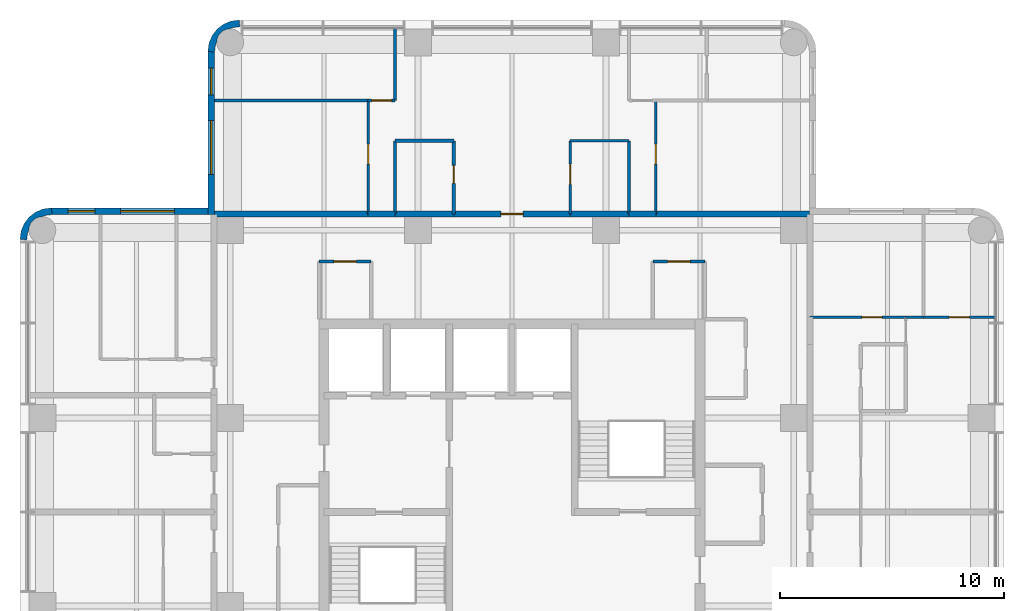
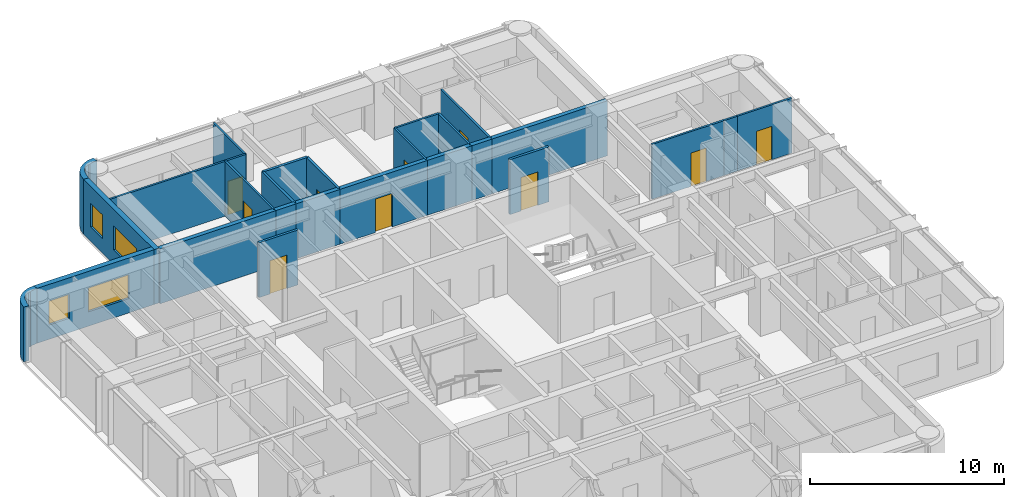
# One storey, part 8 of 10: 27 walls, 10 doors, 4 windows, 14 openings.
"""IFC4 building model written with IfcOpenShell, lengths in metres."""

from ifc_helpers import new_model, si_unit, direction, frame, frame_2d, origin, place, context, subcontext, project, spatial, polyline, rectangle, outline, extrude, material, layer, layer_set, type_object, element, fill, save


model = new_model("IFC4")

# Units and contexts
model_context = context("Model", 3, precision=1e-05, world=origin(), true_north=direction((0.0, 1.0)))
body_context = subcontext(model_context, "Body", "Model", "MODEL_VIEW")
ifc_project = project(units=[si_unit("LENGTHUNIT", "METRE"), si_unit("AREAUNIT", "SQUARE_METRE"), si_unit("VOLUMEUNIT", "CUBIC_METRE"), si_unit("PLANEANGLEUNIT", "RADIAN"), si_unit("MASSUNIT", "GRAM", prefix="KILO")], contexts=[model_context])

# Site, building, storey
site_placement = place(None, origin())
site = spatial("IfcSite", under=ifc_project, at=site_placement, CompositionType="ELEMENT")
building_placement = place(site_placement, origin())
building = spatial("IfcBuilding", under=site, at=building_placement, Name="Torre Alcanfor", CompositionType="ELEMENT")
storey_placement = place(building_placement, frame((0.0, 0.0, 293.699951171875)))
storey = spatial("IfcBuildingStorey", under=building, at=storey_placement, Name="L77", CompositionType="ELEMENT", Elevation=293.699951171875)

# Wall, opening, door
ifc_material_1 = material(Name="Concrete block masonry, hollow blocks NMX-C-404 9 MPa", Category="masonry")
ifc_layer_1 = layer(ifc_material_1, 0.25)
ifc_layer_set_1 = layer_set([ifc_layer_1], Name="Apartment entrance wall 250 EI 60")
wall_type_1 = type_object("IfcWallType", Name="Apartment entrance wall 250 EI 60", PredefinedType="PARTITIONING", material=ifc_layer_set_1)
wall_1_placement = place(storey_placement, frame((26.800048828125, 42.72509765625, 0.0), z_axis=(0.0, 0.0, 1.0), x_axis=(1.0, 0.0, 0.0)))
wall_1 = element("IfcWall", 1, at=wall_1_placement, inside=storey, type_object=wall_type_1, Name="Partition L77-CORR / L77-NX-ZAG", PredefinedType="PARTITIONING", context=body_context, shape_type="SweptSolid", body=[
    extrude(rectangle(XDim=5.199951171875, YDim=0.25, at=frame_2d((2.60009765625, 0.0))), origin(), (0.0, 0.0, 1.0), 3.449951171875),
])
opening_1_placement = place(wall_1_placement, frame((2.10009765625, 0.0, 0.0)))
opening_1 = element("IfcOpeningElement", 2, at=opening_1_placement, cuts=wall_1, Name="Opening D-A1", PredefinedType="OPENING", context=body_context, shape_type="SweptSolid", body=[
    extrude(rectangle(XDim=1.0, YDim=2.10009765625, at=frame_2d((0.5, 1.050048828125))), frame((0.0, 0.135009765625, 0.0), z_axis=(0.0, -1.0, 0.0), x_axis=(1.0, 0.0, 0.0)), (0.0, 0.0, 1.0), 0.27001953125),
])
ifc_material_2 = material(Name="Galvanised steel sheet ASTM A653", Category="steel")
door_type_1 = type_object("IfcDoorType", Name="Apartment entrance door FD60 1000x2100", OperationType="SINGLE_SWING_LEFT", PredefinedType="DOOR", material=ifc_material_2)
door_1_placement = place(opening_1_placement, origin())
door_1 = element("IfcDoor", 3, at=door_1_placement, inside=storey, type_object=door_type_1, Name="Apartment entrance L77-NX", OperationType="SINGLE_SWING_LEFT", OverallHeight=2.10009765625, OverallWidth=1.0, PredefinedType="DOOR", context=body_context, shape_type="SweptSolid", body=[
    extrude(rectangle(XDim=1.0, YDim=2.10009765625, at=frame_2d((0.5, 1.050048828125))), frame((0.0, 0.02490234375, 0.0), z_axis=(0.0, -1.0, 0.0), x_axis=(1.0, 0.0, 0.0)), (0.0, 0.0, 1.0), 0.050048828125),
])
fill(opening_1, door_1)

# Walls
wall_2_placement = place(storey_placement, frame((24.1708984375, 42.72509765625, 0.0), z_axis=(0.0, 0.0, 1.0), x_axis=(1.0, 0.0, 0.0)))
element("IfcWall", 4, at=wall_2_placement, inside=storey, type_object=wall_type_1, Name="Partition L77-CORR / L77-NX-BATH2", PredefinedType="PARTITIONING", context=body_context, shape_type="SweptSolid", body=[
    extrude(rectangle(XDim=2.629150390625, YDim=0.25, at=frame_2d((1.314453125, 0.0))), origin(), (0.0, 0.0, 1.0), 3.449951171875),
])
wall_3_placement = place(storey_placement, frame((32.0, 42.72509765625, 0.0), z_axis=(0.0, 0.0, 1.0), x_axis=(1.0, 0.0, 0.0)))
element("IfcWall", 5, at=wall_3_placement, inside=storey, type_object=wall_type_1, Name="Partition L77-CORR / L77-NX-KITCHEN", PredefinedType="PARTITIONING", context=body_context, shape_type="SweptSolid", body=[
    extrude(rectangle(XDim=2.62890625, YDim=0.25, at=frame_2d((1.314453125, 0.0))), origin(), (0.0, 0.0, 1.0), 3.449951171875),
])
wall_4_placement = place(storey_placement, frame((22.970947265625, 42.72509765625, 0.0), z_axis=(0.0, 0.0, 1.0), x_axis=(1.0, 0.0, 0.0)))
element("IfcWall", 6, at=wall_4_placement, inside=storey, type_object=wall_type_1, Name="Partition L77-CORR / L77-NX-LIVING", PredefinedType="PARTITIONING", context=body_context, shape_type="SweptSolid", body=[
    extrude(rectangle(XDim=1.199951171875, YDim=0.25, at=frame_2d((0.60009765625, 0.0))), origin(), (0.0, 0.0, 1.0), 3.449951171875),
])
wall_5_placement = place(storey_placement, frame((34.62890625, 42.72509765625, 0.0), z_axis=(0.0, 0.0, 1.0), x_axis=(1.0, 0.0, 0.0)))
element("IfcWall", 7, at=wall_5_placement, inside=storey, type_object=wall_type_1, Name="Partition L77-CORR / L77-NX-LIVING", PredefinedType="PARTITIONING", context=body_context, shape_type="SweptSolid", body=[
    extrude(rectangle(XDim=1.2001953125, YDim=0.25, at=frame_2d((0.60009765625, 0.0))), origin(), (0.0, 0.0, 1.0), 3.449951171875),
])
for number, where, z_axis, x_axis, name in (
    (8, (16.10009765625, 42.72509765625, 0.0), (0.0, 0.0, 1.0), (1.0, 0.0, 0.0), "Partition L77-CORR / L77-NX-BED2"),
    (9, (35.8291015625, 42.72509765625, 0.0), (0.0, 0.0, 1.0), (1.0, 0.0, 0.0), "Partition L77-CORR / L77-NX-BED3"),
):
    element("IfcWall", number, at=place(storey_placement, frame(where, z_axis=z_axis, x_axis=x_axis)), inside=storey, type_object=wall_type_1, Name=name, PredefinedType="PARTITIONING", context=body_context, shape_type="SweptSolid", body=[
        extrude(rectangle(XDim=6.870849609375, YDim=0.25, at=frame_2d((3.435546875, 0.0))), origin(), (0.0, 0.0, 1.0), 3.449951171875),
    ])

# Wall, opening, door
ifc_material_3 = material(Name="Gypsum board on steel studs", Category="steel")
ifc_layer_2 = layer(ifc_material_3, 0.1201171875)
ifc_layer_set_2 = layer_set([ifc_layer_2], Name="Apartment partition 120")
wall_type_2 = type_object("IfcWallType", Name="Apartment partition 120", PredefinedType="PARTITIONING", material=ifc_layer_set_2)
wall_6_placement = place(storey_placement, frame((32.0, 42.72509765625, 0.0), z_axis=(0.0, 0.0, 1.0), x_axis=(0.0, 1.0, 0.0)))
wall_6 = element("IfcWall", 10, at=wall_6_placement, inside=storey, type_object=wall_type_2, Name="Partition L77-NX-ZAG / L77-NX-KITCHEN", PredefinedType="PARTITIONING", context=body_context, shape_type="SweptSolid", body=[
    extrude(rectangle(XDim=3.27490234375, YDim=0.1201171875, at=frame_2d((1.637451171875, 0.0))), origin(), (0.0, 0.0, 1.0), 3.449951171875),
])
opening_2_placement = place(wall_6_placement, frame((1.324951171875, 0.0, 0.0)))
opening_2 = element("IfcOpeningElement", 11, at=opening_2_placement, cuts=wall_6, Name="Opening D-R1", PredefinedType="OPENING", context=body_context, shape_type="SweptSolid", body=[
    extrude(rectangle(XDim=0.89990234375, YDim=2.10009765625, at=frame_2d((0.449951171875, 1.050048828125))), frame((0.0, 0.070068359375, 0.0), z_axis=(0.0, -1.0, 0.0), x_axis=(1.0, 0.0, 0.0)), (0.0, 0.0, 1.0), 0.14013671875),
])
ifc_material_4 = material(Name="Timber", Category="wood")
door_type_2 = type_object("IfcDoorType", Name="Internal door 900x2100", OperationType="SINGLE_SWING_LEFT", PredefinedType="DOOR", material=ifc_material_4)
door_2_placement = place(opening_2_placement, frame((0.89990234375, 0.0, 0.0), z_axis=(0.0, 0.0, 1.0), x_axis=(-1.0, 0.0, 0.0)))
door_2 = element("IfcDoor", 12, at=door_2_placement, inside=storey, type_object=door_type_2, Name="Door L77-NX kitchen", OperationType="SINGLE_SWING_LEFT", OverallHeight=2.10009765625, OverallWidth=0.89990234375, PredefinedType="DOOR", context=body_context, shape_type="SweptSolid", body=[
    extrude(rectangle(XDim=0.89990234375, YDim=2.10009765625, at=frame_2d((0.449951171875, 1.050048828125))), frame((0.0, 0.025146484375, 0.0), z_axis=(0.0, -1.0, 0.0), x_axis=(1.0, 0.0, 0.0)), (0.0, 0.0, 1.0), 0.050048828125),
])
fill(opening_2, door_2)

# Walls
wall_7_placement = place(storey_placement, frame((34.62890625, 42.72509765625, 0.0), z_axis=(0.0, 0.0, 1.0), x_axis=(0.0, 1.0, 0.0)))
element("IfcWall", 13, at=wall_7_placement, inside=storey, type_object=wall_type_2, Name="Partition L77-NX-KITCHEN / L77-NX-LIVING", PredefinedType="PARTITIONING", context=body_context, shape_type="SweptSolid", body=[
    extrude(rectangle(XDim=3.27490234375, YDim=0.1201171875, at=frame_2d((1.637451171875, 0.0))), origin(), (0.0, 0.0, 1.0), 3.449951171875),
])
wall_8_placement = place(storey_placement, frame((34.62890625, 46.0, 0.0), z_axis=(0.0, 0.0, 1.0), x_axis=(-1.0, 0.0, 0.0)))
element("IfcWall", 14, at=wall_8_placement, inside=storey, type_object=wall_type_2, Name="Partition L77-NX-KITCHEN / L77-NX-LIVING", PredefinedType="PARTITIONING", context=body_context, shape_type="SweptSolid", body=[
    extrude(rectangle(XDim=2.62890625, YDim=0.1201171875, at=frame_2d((1.314453125, 0.0))), origin(), (0.0, 0.0, 1.0), 3.449951171875),
])

# Wall, opening, door
wall_9_placement = place(storey_placement, frame((22.970947265625, 42.72509765625, 0.0), z_axis=(0.0, 0.0, 1.0), x_axis=(0.0, 1.0, 0.0)))
wall_9 = element("IfcWall", 15, at=wall_9_placement, inside=storey, type_object=wall_type_2, Name="Partition L77-NX-LIVING / L77-NX-BED2", PredefinedType="PARTITIONING", context=body_context, shape_type="SweptSolid", body=[
    extrude(rectangle(XDim=5.074951171875, YDim=0.1201171875, at=frame_2d((2.53759765625, 0.0))), origin(), (0.0, 0.0, 1.0), 3.449951171875),
])
opening_3_placement = place(wall_9_placement, frame((2.22509765625, 0.0, 0.0)))
opening_3 = element("IfcOpeningElement", 16, at=opening_3_placement, cuts=wall_9, Name="Opening D-R1", PredefinedType="OPENING", context=body_context, shape_type="SweptSolid", body=[
    extrude(rectangle(XDim=0.89990234375, YDim=2.10009765625, at=frame_2d((0.449951171875, 1.050048828125))), frame((0.0, 0.070068359375, 0.0), z_axis=(0.0, -1.0, 0.0), x_axis=(1.0, 0.0, 0.0)), (0.0, 0.0, 1.0), 0.14013671875),
])
door_3_placement = place(opening_3_placement, origin())
door_3 = element("IfcDoor", 17, at=door_3_placement, inside=storey, type_object=door_type_2, Name="Door L77-NX bed2", OperationType="SINGLE_SWING_RIGHT", OverallHeight=2.10009765625, OverallWidth=0.89990234375, PredefinedType="DOOR", context=body_context, shape_type="SweptSolid", body=[
    extrude(rectangle(XDim=0.89990234375, YDim=2.10009765625, at=frame_2d((0.449951171875, 1.050048828125))), frame((0.0, 0.02490234375, 0.0), z_axis=(0.0, -1.0, 0.0), x_axis=(1.0, 0.0, 0.0)), (0.0, 0.0, 1.0), 0.050048828125),
])
fill(opening_3, door_3)

wall_10_placement = place(storey_placement, frame((22.970947265625, 47.800048828125, 0.0), z_axis=(0.0, 0.0, 1.0), x_axis=(1.0, 0.0, 0.0)))
wall_10 = element("IfcWall", 18, at=wall_10_placement, inside=storey, type_object=wall_type_2, Name="Partition L77-NX-LIVING / L77-NX-MASTER", PredefinedType="PARTITIONING", context=body_context, shape_type="SweptSolid", body=[
    extrude(rectangle(XDim=1.199951171875, YDim=0.1201171875, at=frame_2d((0.60009765625, 0.0))), origin(), (0.0, 0.0, 1.0), 3.449951171875),
])
opening_4_placement = place(wall_10_placement, frame((0.14892578125, 0.0, 0.0)))
opening_4 = element("IfcOpeningElement", 19, at=opening_4_placement, cuts=wall_10, Name="Opening D-R1", PredefinedType="OPENING", context=body_context, shape_type="SweptSolid", body=[
    extrude(rectangle(XDim=0.89990234375, YDim=2.10009765625, at=frame_2d((0.449951171875, 1.050048828125))), frame((0.0, 0.070068359375, 0.0), z_axis=(0.0, -1.0, 0.0), x_axis=(1.0, 0.0, 0.0)), (0.0, 0.0, 1.0), 0.14013671875),
])
door_4_placement = place(opening_4_placement, origin())
door_4 = element("IfcDoor", 20, at=door_4_placement, inside=storey, type_object=door_type_2, Name="Door L77-NX master", OperationType="SINGLE_SWING_RIGHT", OverallHeight=2.10009765625, OverallWidth=0.89990234375, PredefinedType="DOOR", context=body_context, shape_type="SweptSolid", body=[
    extrude(rectangle(XDim=0.89990234375, YDim=2.10009765625, at=frame_2d((0.449951171875, 1.050048828125))), frame((0.0, 0.02490234375, 0.0), z_axis=(0.0, -1.0, 0.0), x_axis=(1.0, 0.0, 0.0)), (0.0, 0.0, 1.0), 0.050048828125),
])
fill(opening_4, door_4)

# Wall
wall_11_placement = place(storey_placement, frame((24.1708984375, 47.800048828125, 0.0), z_axis=(0.0, 0.0, 1.0), x_axis=(0.0, 1.0, 0.0)))
element("IfcWall", 21, at=wall_11_placement, inside=storey, type_object=wall_type_2, Name="Partition L77-NX-LIVING / L77-NX-MASTER", PredefinedType="PARTITIONING", context=body_context, shape_type="SweptSolid", body=[
    extrude(rectangle(XDim=3.25, YDim=0.1201171875, at=frame_2d((1.625, 0.0))), origin(), (0.0, 0.0, 1.0), 3.449951171875),
])

# Wall, opening, door
wall_12_placement = place(storey_placement, frame((35.8291015625, 47.800048828125, 0.0), z_axis=(0.0, 0.0, 1.0), x_axis=(0.0, -1.0, 0.0)))
wall_12 = element("IfcWall", 22, at=wall_12_placement, inside=storey, type_object=wall_type_2, Name="Partition L77-NX-LIVING / L77-NX-BED3", PredefinedType="PARTITIONING", context=body_context, shape_type="SweptSolid", body=[
    extrude(rectangle(XDim=5.074951171875, YDim=0.1201171875, at=frame_2d((2.53759765625, 0.0))), origin(), (0.0, 0.0, 1.0), 3.449951171875),
])
opening_5_placement = place(wall_12_placement, frame((1.949951171875, 0.0, 0.0)))
opening_5 = element("IfcOpeningElement", 23, at=opening_5_placement, cuts=wall_12, Name="Opening D-R1", PredefinedType="OPENING", context=body_context, shape_type="SweptSolid", body=[
    extrude(rectangle(XDim=0.89990234375, YDim=2.10009765625, at=frame_2d((0.449951171875, 1.050048828125))), frame((0.0, 0.070068359375, 0.0), z_axis=(0.0, -1.0, 0.0), x_axis=(1.0, 0.0, 0.0)), (0.0, 0.0, 1.0), 0.14013671875),
])
door_5_placement = place(opening_5_placement, origin())
door_5 = element("IfcDoor", 24, at=door_5_placement, inside=storey, type_object=door_type_2, Name="Door L77-NX bed3", OperationType="SINGLE_SWING_LEFT", OverallHeight=2.10009765625, OverallWidth=0.89990234375, PredefinedType="DOOR", context=body_context, shape_type="SweptSolid", body=[
    extrude(rectangle(XDim=0.89990234375, YDim=2.10009765625, at=frame_2d((0.449951171875, 1.050048828125))), frame((0.0, 0.02490234375, 0.0), z_axis=(0.0, -1.0, 0.0), x_axis=(1.0, 0.0, 0.0)), (0.0, 0.0, 1.0), 0.050048828125),
])
fill(opening_5, door_5)

# Wall
wall_13_placement = place(storey_placement, frame((22.970947265625, 47.800048828125, 0.0), z_axis=(0.0, 0.0, 1.0), x_axis=(-1.0, 0.0, 0.0)))
element("IfcWall", 25, at=wall_13_placement, inside=storey, type_object=wall_type_2, Name="Partition L77-NX-BED2 / L77-NX-MASTER", PredefinedType="PARTITIONING", context=body_context, shape_type="SweptSolid", body=[
    extrude(rectangle(XDim=6.870849609375, YDim=0.1201171875, at=frame_2d((3.435546875, 0.0))), origin(), (0.0, 0.0, 1.0), 3.449951171875),
])

# Wall, opening, door
wall_14_placement = place(storey_placement, frame((47.0, 38.114013671875, 0.0), z_axis=(0.0, 0.0, 1.0), x_axis=(-1.0, 0.0, 0.0)))
wall_14 = element("IfcWall", 26, at=wall_14_placement, inside=storey, type_object=wall_type_2, Name="Partition L77-E1-HALL / L77-E1-MASTER", PredefinedType="PARTITIONING", context=body_context, shape_type="SweptSolid", body=[
    extrude(rectangle(XDim=4.27490234375, YDim=0.1201171875, at=frame_2d((2.137451171875, 0.0))), origin(), (0.0, 0.0, 1.0), 3.449951171875),
])
opening_6_placement = place(wall_14_placement, frame((1.050048828125, 0.0, 0.0)))
opening_6 = element("IfcOpeningElement", 27, at=opening_6_placement, cuts=wall_14, Name="Opening D-R1", PredefinedType="OPENING", context=body_context, shape_type="SweptSolid", body=[
    extrude(rectangle(XDim=0.89990234375, YDim=2.10009765625, at=frame_2d((0.449951171875, 1.050048828125))), frame((0.0, 0.070068359375, 0.0), z_axis=(0.0, -1.0, 0.0), x_axis=(1.0, 0.0, 0.0)), (0.0, 0.0, 1.0), 0.14013671875),
])
door_6_placement = place(opening_6_placement, frame((0.89990234375, 0.0, 0.0), z_axis=(0.0, 0.0, 1.0), x_axis=(-1.0, 0.0, 0.0)))
door_6 = element("IfcDoor", 28, at=door_6_placement, inside=storey, type_object=door_type_2, Name="Door L77-E1 master", OperationType="SINGLE_SWING_RIGHT", OverallHeight=2.10009765625, OverallWidth=0.89990234375, PredefinedType="DOOR", context=body_context, shape_type="SweptSolid", body=[
    extrude(rectangle(XDim=0.89990234375, YDim=2.10009765625, at=frame_2d((0.449951171875, 1.050048828125))), frame((0.0, 0.025146484375, 0.0), z_axis=(0.0, -1.0, 0.0), x_axis=(1.0, 0.0, 0.0)), (0.0, 0.0, 1.0), 0.050048828125),
])
fill(opening_6, door_6)

# Wall
wall_15_placement = place(storey_placement, frame((47.800048828125, 38.114013671875, 0.0), z_axis=(0.0, 0.0, 1.0), x_axis=(-1.0, 0.0, 0.0)))
element("IfcWall", 29, at=wall_15_placement, inside=storey, type_object=wall_type_2, Name="Partition L77-E1-LIVING / L77-E1-MASTER", PredefinedType="PARTITIONING", context=body_context, shape_type="SweptSolid", body=[
    extrude(rectangle(XDim=0.800048828125, YDim=0.1201171875, at=frame_2d((0.39990234375, 0.0))), origin(), (0.0, 0.0, 1.0), 3.449951171875),
])

# Wall, opening, door
wall_16_placement = place(storey_placement, frame((51.050048828125, 38.114013671875, 0.0), z_axis=(0.0, 0.0, 1.0), x_axis=(-1.0, 0.0, 0.0)))
wall_16 = element("IfcWall", 30, at=wall_16_placement, inside=storey, type_object=wall_type_2, Name="Partition L77-E1-LIVING / L77-E1-BED2", PredefinedType="PARTITIONING", context=body_context, shape_type="SweptSolid", body=[
    extrude(rectangle(XDim=3.25, YDim=0.1201171875, at=frame_2d((1.625, 0.0))), origin(), (0.0, 0.0, 1.0), 3.449951171875),
])
opening_7_placement = place(wall_16_placement, frame((1.199951171875, 0.0, 0.0)))
opening_7 = element("IfcOpeningElement", 31, at=opening_7_placement, cuts=wall_16, Name="Opening D-R1", PredefinedType="OPENING", context=body_context, shape_type="SweptSolid", body=[
    extrude(rectangle(XDim=0.89990234375, YDim=2.10009765625, at=frame_2d((0.449951171875, 1.050048828125))), frame((0.0, 0.070068359375, 0.0), z_axis=(0.0, -1.0, 0.0), x_axis=(1.0, 0.0, 0.0)), (0.0, 0.0, 1.0), 0.14013671875),
])
door_7_placement = place(opening_7_placement, frame((0.89990234375, 0.0, 0.0), z_axis=(0.0, 0.0, 1.0), x_axis=(-1.0, 0.0, 0.0)))
door_7 = element("IfcDoor", 32, at=door_7_placement, inside=storey, type_object=door_type_2, Name="Door L77-E1 bed2", OperationType="SINGLE_SWING_LEFT", OverallHeight=2.10009765625, OverallWidth=0.89990234375, PredefinedType="DOOR", context=body_context, shape_type="SweptSolid", body=[
    extrude(rectangle(XDim=0.89990234375, YDim=2.10009765625, at=frame_2d((0.449951171875, 1.050048828125))), frame((0.0, 0.025146484375, 0.0), z_axis=(0.0, -1.0, 0.0), x_axis=(1.0, 0.0, 0.0)), (0.0, 0.0, 1.0), 0.050048828125),
])
fill(opening_7, door_7)

# Wall, openings, windows
ifc_material_5 = material(Name="Limestone cladding", Category="masonry")
ifc_layer_3 = layer(ifc_material_5, 0.0400390625, Name="Facing")
ifc_material_6 = material(Name="Ventilated air cavity")
ifc_layer_4 = layer(ifc_material_6, 0.02001953125, ventilated=True, Name="Ventilated joint")
ifc_material_7 = material(Name="Mineral wool insulation", Category="insulation")
ifc_layer_5 = layer(ifc_material_7, 0.10009765625, Name="Insulation")
ifc_material_8 = material(Name="Concrete f'c 35 MPa", Category="concrete")
ifc_layer_6 = layer(ifc_material_8, 0.139892578125, Name="Backing")
ifc_layer_set_3 = layer_set([ifc_layer_3, ifc_layer_4, ifc_layer_5, ifc_layer_6], Name="External wall stone-clad 300")
wall_type_3 = type_object("IfcWallType", Name="External wall stone-clad 300", PredefinedType="SOLIDWALL", material=ifc_layer_set_3)
wall_17_placement = place(storey_placement, frame((15.800048828125, 42.85009765625, 0.0), z_axis=(0.0, 0.0, 1.0), x_axis=(-1.0, 0.0, 0.0)))
wall_17 = element("IfcWall", 33, at=wall_17_placement, inside=storey, type_object=wall_type_3, Name="External wall L77 1", PredefinedType="SOLIDWALL", context=body_context, shape_type="SweptSolid", body=[
    extrude(rectangle(XDim=7.0, YDim=0.300048828125, at=frame_2d((3.5, 0.0))), origin(), (0.0, 0.0, 1.0), 3.449951171875),
])
opening_8_placement = place(wall_17_placement, frame((1.5, 0.0, 0.89990234375)))
opening_8 = element("IfcOpeningElement", 34, at=opening_8_placement, cuts=wall_17, Name="Opening W1", PredefinedType="OPENING", context=body_context, shape_type="SweptSolid", body=[
    extrude(rectangle(XDim=2.39990234375, YDim=1.5, at=frame_2d((1.199951171875, 0.75))), frame((0.0, 0.159912109375, 0.0), z_axis=(0.0, -1.0, 0.0), x_axis=(1.0, 0.0, 0.0)), (0.0, 0.0, 1.0), 0.320068359375),
])
opening_9_placement = place(wall_17_placement, frame((5.050048828125, 0.0, 0.89990234375)))
opening_9 = element("IfcOpeningElement", 35, at=opening_9_placement, cuts=wall_17, Name="Opening W4", PredefinedType="OPENING", context=body_context, shape_type="SweptSolid", body=[
    extrude(rectangle(XDim=1.199951171875, YDim=1.5, at=frame_2d((0.60009765625, 0.75))), frame((0.0, 0.159912109375, 0.0), z_axis=(0.0, -1.0, 0.0), x_axis=(1.0, 0.0, 0.0)), (0.0, 0.0, 1.0), 0.320068359375),
])
ifc_material_9 = material(Name="Aluminium frame with clear double glazing", Category="aluminium")
window_type_1 = type_object("IfcWindowType", Name="Window bedroom 1200x1500", PartitioningType="SINGLE_PANEL", PredefinedType="WINDOW", material=ifc_material_9)
window_1_placement = place(opening_9_placement, origin())
window_1 = element("IfcWindow", 36, at=window_1_placement, inside=storey, type_object=window_type_1, Name="Window W4 L77-W2", OverallHeight=1.5, OverallWidth=1.199951171875, PartitioningType="SINGLE_PANEL", PredefinedType="WINDOW", context=body_context, shape_type="SweptSolid", body=[
    extrude(rectangle(XDim=1.199951171875, YDim=1.5, at=frame_2d((0.60009765625, 0.75))), frame((0.0, 0.030029296875, 0.0), z_axis=(0.0, -1.0, 0.0), x_axis=(1.0, 0.0, 0.0)), (0.0, 0.0, 1.0), 0.06005859375),
])
fill(opening_9, window_1)
ifc_material_10 = material(Name="Aluminium frame with clear double glazing", Category="aluminium")
window_type_2 = type_object("IfcWindowType", Name="Window bedroom 2400x1500", PartitioningType="SINGLE_PANEL", PredefinedType="WINDOW", material=ifc_material_10)
window_2_placement = place(opening_8_placement, origin())
window_2 = element("IfcWindow", 37, at=window_2_placement, inside=storey, type_object=window_type_2, Name="Window W1 L77-W2", OverallHeight=1.5, OverallWidth=2.39990234375, PartitioningType="SINGLE_PANEL", PredefinedType="WINDOW", context=body_context, shape_type="SweptSolid", body=[
    extrude(rectangle(XDim=2.39990234375, YDim=1.5, at=frame_2d((1.199951171875, 0.75))), frame((0.0, 0.030029296875, 0.0), z_axis=(0.0, -1.0, 0.0), x_axis=(1.0, 0.0, 0.0)), (0.0, 0.0, 1.0), 0.06005859375),
])
fill(opening_8, window_2)

wall_18_placement = place(storey_placement, frame((15.949951171875, 50.0, 0.0), z_axis=(0.0, 0.0, 1.0), x_axis=(0.0, -1.0, 0.0)))
wall_18 = element("IfcWall", 38, at=wall_18_placement, inside=storey, type_object=wall_type_3, Name="External wall L77 12", PredefinedType="SOLIDWALL", context=body_context, shape_type="SweptSolid", body=[
    extrude(rectangle(XDim=7.300048828125, YDim=0.300048828125, at=frame_2d((3.64990234375, 0.0))), origin(), (0.0, 0.0, 1.0), 3.449951171875),
])
opening_10_placement = place(wall_18_placement, frame((3.10009765625, 0.0, 0.89990234375)))
opening_10 = element("IfcOpeningElement", 39, at=opening_10_placement, cuts=wall_18, Name="Opening W1", PredefinedType="OPENING", context=body_context, shape_type="SweptSolid", body=[
    extrude(rectangle(XDim=2.39990234375, YDim=1.5, at=frame_2d((1.199951171875, 0.75))), frame((0.0, 0.159912109375, 0.0), z_axis=(0.0, -1.0, 0.0), x_axis=(1.0, 0.0, 0.0)), (0.0, 0.0, 1.0), 0.320068359375),
])
opening_11_placement = place(wall_18_placement, frame((0.75, 0.0, 0.89990234375)))
opening_11 = element("IfcOpeningElement", 40, at=opening_11_placement, cuts=wall_18, Name="Opening W4", PredefinedType="OPENING", context=body_context, shape_type="SweptSolid", body=[
    extrude(rectangle(XDim=1.199951171875, YDim=1.5, at=frame_2d((0.60009765625, 0.75))), frame((0.0, 0.159912109375, 0.0), z_axis=(0.0, -1.0, 0.0), x_axis=(1.0, 0.0, 0.0)), (0.0, 0.0, 1.0), 0.320068359375),
])
window_3_placement = place(opening_11_placement, origin())
window_3 = element("IfcWindow", 41, at=window_3_placement, inside=storey, type_object=window_type_1, Name="Window W4 L77-N1", OverallHeight=1.5, OverallWidth=1.199951171875, PartitioningType="SINGLE_PANEL", PredefinedType="WINDOW", context=body_context, shape_type="SweptSolid", body=[
    extrude(rectangle(XDim=1.199951171875, YDim=1.5, at=frame_2d((0.60009765625, 0.75))), frame((0.0, 0.030029296875, 0.0), z_axis=(0.0, -1.0, 0.0), x_axis=(1.0, 0.0, 0.0)), (0.0, 0.0, 1.0), 0.06005859375),
])
fill(opening_11, window_3)
window_4_placement = place(opening_10_placement, origin())
window_4 = element("IfcWindow", 42, at=window_4_placement, inside=storey, type_object=window_type_2, Name="Window W1 L77-N1", OverallHeight=1.5, OverallWidth=2.39990234375, PartitioningType="SINGLE_PANEL", PredefinedType="WINDOW", context=body_context, shape_type="SweptSolid", body=[
    extrude(rectangle(XDim=2.39990234375, YDim=1.5, at=frame_2d((1.199951171875, 0.75))), frame((0.0, 0.030029296875, 0.0), z_axis=(0.0, -1.0, 0.0), x_axis=(1.0, 0.0, 0.0)), (0.0, 0.0, 1.0), 0.06005859375),
])
fill(opening_10, window_4)

# Wall, opening, door
ifc_material_11 = material(Name="Concrete block masonry, hollow blocks NMX-C-404 9 MPa", Category="masonry")
ifc_layer_7 = layer(ifc_material_11, 0.14990234375)
ifc_layer_set_4 = layer_set([ifc_layer_7], Name="Residents' room partition 150")
wall_type_4 = type_object("IfcWallType", Name="Residents' room partition 150", PredefinedType="PARTITIONING", material=ifc_layer_set_4)
wall_19_placement = place(storey_placement, frame((23.10009765625, 40.60009765625, 0.0), z_axis=(0.0, 0.0, 1.0), x_axis=(-1.0, 0.0, 0.0)))
wall_19 = element("IfcWall", 43, at=wall_19_placement, inside=storey, type_object=wall_type_4, Name="Partition L77-CORR / L77-G01", PredefinedType="PARTITIONING", context=body_context, shape_type="SweptSolid", body=[
    extrude(rectangle(XDim=2.3251953125, YDim=0.14990234375, at=frame_2d((1.16259765625, 0.0))), origin(), (0.0, 0.0, 1.0), 3.449951171875),
])
opening_12_placement = place(wall_19_placement, frame((0.66259765625, 0.0, 0.0)))
opening_12 = element("IfcOpeningElement", 44, at=opening_12_placement, cuts=wall_19, Name="Opening D-M1", PredefinedType="OPENING", context=body_context, shape_type="SweptSolid", body=[
    extrude(rectangle(XDim=1.0, YDim=2.10009765625, at=frame_2d((0.5, 1.050048828125))), frame((0.0, 0.0849609375, 0.0), z_axis=(0.0, -1.0, 0.0), x_axis=(1.0, 0.0, 0.0)), (0.0, 0.0, 1.0), 0.169921875),
])
ifc_material_12 = material(Name="Timber", Category="wood")
door_type_3 = type_object("IfcDoorType", Name="Residents' room door 1000x2100", OperationType="SINGLE_SWING_LEFT", PredefinedType="DOOR", material=ifc_material_12)
door_8_placement = place(opening_12_placement, origin())
door_8 = element("IfcDoor", 45, at=door_8_placement, inside=storey, type_object=door_type_3, Name="Door L77-G01 residents' storage", OperationType="SINGLE_SWING_LEFT", OverallHeight=2.10009765625, OverallWidth=1.0, PredefinedType="DOOR", context=body_context, shape_type="SweptSolid", body=[
    extrude(rectangle(XDim=1.0, YDim=2.10009765625, at=frame_2d((0.5, 1.050048828125))), frame((0.0, 0.02490234375, 0.0), z_axis=(0.0, -1.0, 0.0), x_axis=(1.0, 0.0, 0.0)), (0.0, 0.0, 1.0), 0.050048828125),
])
fill(opening_12, door_8)

wall_20_placement = place(storey_placement, frame((38.02490234375, 40.60009765625, 0.0), z_axis=(0.0, 0.0, 1.0), x_axis=(-1.0, 0.0, 0.0)))
wall_20 = element("IfcWall", 46, at=wall_20_placement, inside=storey, type_object=wall_type_4, Name="Partition L77-CORR / L77-G02", PredefinedType="PARTITIONING", context=body_context, shape_type="SweptSolid", body=[
    extrude(rectangle(XDim=2.324951171875, YDim=0.14990234375, at=frame_2d((1.16259765625, 0.0))), origin(), (0.0, 0.0, 1.0), 3.449951171875),
])
opening_13_placement = place(wall_20_placement, frame((0.66259765625, 0.0, 0.0)))
opening_13 = element("IfcOpeningElement", 47, at=opening_13_placement, cuts=wall_20, Name="Opening D-M1", PredefinedType="OPENING", context=body_context, shape_type="SweptSolid", body=[
    extrude(rectangle(XDim=1.0, YDim=2.10009765625, at=frame_2d((0.5, 1.050048828125))), frame((0.0, 0.0849609375, 0.0), z_axis=(0.0, -1.0, 0.0), x_axis=(1.0, 0.0, 0.0)), (0.0, 0.0, 1.0), 0.169921875),
])
door_9_placement = place(opening_13_placement, origin())
door_9 = element("IfcDoor", 48, at=door_9_placement, inside=storey, type_object=door_type_3, Name="Door L77-G02 parcel room", OperationType="SINGLE_SWING_LEFT", OverallHeight=2.10009765625, OverallWidth=1.0, PredefinedType="DOOR", context=body_context, shape_type="SweptSolid", body=[
    extrude(rectangle(XDim=1.0, YDim=2.10009765625, at=frame_2d((0.5, 1.050048828125))), frame((0.0, 0.02490234375, 0.0), z_axis=(0.0, -1.0, 0.0), x_axis=(1.0, 0.0, 0.0)), (0.0, 0.0, 1.0), 0.050048828125),
])
fill(opening_13, door_9)

# Walls
ifc_layer_8 = layer(ifc_material_5, 0.0400390625, Name="Facing")
ifc_layer_9 = layer(ifc_material_6, 0.02001953125, ventilated=True, Name="Ventilated joint")
ifc_layer_10 = layer(ifc_material_7, 0.10009765625, Name="Insulation")
ifc_layer_11 = layer(ifc_material_8, 0.139892578125, Name="Backing")
ifc_layer_set_5 = layer_set([ifc_layer_8, ifc_layer_9, ifc_layer_10, ifc_layer_11], Name="Rounded corner pier stone-clad 300")
wall_type_5 = type_object("IfcWallType", Name="Rounded corner pier stone-clad 300", PredefinedType="SOLIDWALL", material=ifc_layer_set_5)
wall_21_placement = place(storey_placement, frame((8.761581746, 42.575898117, 0.0), z_axis=(0.0, 0.0, 1.0), x_axis=(-0.707106781187, 0.707106781187, 0.0)))
element("IfcWall", 49, at=wall_21_placement, inside=storey, type_object=wall_type_5, Name="Corner pier L77 13", PredefinedType="SOLIDWALL", context=body_context, shape_type="SweptSolid", body=[
    extrude(outline(polyline([(0.23297927971509194, 0.11416555226925892), (0.04670774238592084, -0.12872977027211618), (0.032551796082869844, -0.1428857165751672), (0.27268498276023495, -0.32708565200633083), (0.49520955330453675, -0.03723401977678656), (0.6350426814200405, 0.3004370895984301), (0.6826895250742122, 0.6629674217497361), (0.6350426814200405, 1.025152486918041), (0.49520955330453664, 1.3628235962932576), (0.27285761625173566, 1.6528478620143026), (0.032724429574370495, 1.468647926583139), (0.0467077423859209, 1.4546646137715884), (0.23315191320659262, 1.2115966577387127), (0.29219256729980525, 1.0690013937591991), (0.3577932940700416, 1.0034006669889626), (0.44946167805687187, 0.7826024313596671), (0.44946167805687187, 0.5433324121398051), (0.3579659275615422, 0.322361543019009), (0.29219256729980525, 0.256588182757272), (0.23297927971509194, 0.11416555226925892)])), origin(), (0.0, 0.0, 1.0), 3.449951171875),
])
wall_22_placement = place(storey_placement, frame((17.161581746, 50.975898117, 0.0), z_axis=(0.0, 0.0, 1.0), x_axis=(-0.707106781187, 0.707106781187, 0.0)))
element("IfcWall", 50, at=wall_22_placement, inside=storey, type_object=wall_type_5, Name="Corner pier L77 20", PredefinedType="SOLIDWALL", context=body_context, shape_type="SweptSolid", body=[
    extrude(outline(polyline([(0.04670774238592209, -0.12893693046191768), (0.03272442957437171, -0.14292024327346806), (0.2726849827602362, -0.3269475452131311), (0.495209553304538, -0.03709591298358683), (0.6350426814200417, 0.3005751963916298), (0.6826895250742134, 0.6627602615599347), (0.6350426814200417, 1.0252905937112406), (0.495209553304538, 1.3629617030864574), (0.2726849827602362, 1.6528133353160017), (0.032551796082871065, 1.468613399884838), (0.04653510889442147, 1.4546300870732876), (0.23315191320659384, 1.2117347645319125), (0.2921925672998066, 1.069139500552399), (0.35796592756154355, 1.003366140290662), (0.44946167805687315, 0.7823952711698656), (0.44928904456537255, 0.5432978854415043), (0.3579659275615435, 0.32249964981220874), (0.2921925672998065, 0.2567262895504718), (0.2331519132065938, 0.11413102557095803), (0.04670774238592209, -0.12893693046191768)])), origin(), (0.0, 0.0, 1.0), 3.449951171875),
])

# Wall, opening, door
ifc_material_13 = material(Name="Cement board on steel studs", Category="steel")
ifc_layer_12 = layer(ifc_material_13, 0.14990234375)
ifc_layer_set_6 = layer_set([ifc_layer_12], Name="Wet area partition 150")
wall_type_6 = type_object("IfcWallType", Name="Wet area partition 150", PredefinedType="PARTITIONING", material=ifc_layer_set_6)
wall_23_placement = place(storey_placement, frame((26.800048828125, 46.0, 0.0), z_axis=(0.0, 0.0, 1.0), x_axis=(0.0, -1.0, 0.0)))
wall_23 = element("IfcWall", 51, at=wall_23_placement, inside=storey, type_object=wall_type_6, Name="Partition L77-NX-ZAG / L77-NX-BATH2", PredefinedType="PARTITIONING", context=body_context, shape_type="SweptSolid", body=[
    extrude(rectangle(XDim=3.27490234375, YDim=0.14990234375, at=frame_2d((1.637451171875, 0.0))), origin(), (0.0, 0.0, 1.0), 3.449951171875),
])
opening_14_placement = place(wall_23_placement, frame((1.10009765625, 0.0, 0.0)))
opening_14 = element("IfcOpeningElement", 52, at=opening_14_placement, cuts=wall_23, Name="Opening D-R2", PredefinedType="OPENING", context=body_context, shape_type="SweptSolid", body=[
    extrude(rectangle(XDim=0.800048828125, YDim=2.10009765625, at=frame_2d((0.39990234375, 1.050048828125))), frame((0.0, 0.0849609375, 0.0), z_axis=(0.0, -1.0, 0.0), x_axis=(1.0, 0.0, 0.0)), (0.0, 0.0, 1.0), 0.169921875),
])
ifc_material_14 = material(Name="Timber", Category="wood")
door_type_4 = type_object("IfcDoorType", Name="Bathroom door 800x2100", OperationType="SINGLE_SWING_LEFT", PredefinedType="DOOR", material=ifc_material_14)
door_10_placement = place(opening_14_placement, frame((0.800048828125, 0.0, 0.0), z_axis=(0.0, 0.0, 1.0), x_axis=(-1.0, 0.0, 0.0)))
door_10 = element("IfcDoor", 53, at=door_10_placement, inside=storey, type_object=door_type_4, Name="Door L77-NX bath2", OperationType="SINGLE_SWING_RIGHT", OverallHeight=2.10009765625, OverallWidth=0.800048828125, PredefinedType="DOOR", context=body_context, shape_type="SweptSolid", body=[
    extrude(rectangle(XDim=0.800048828125, YDim=2.10009765625, at=frame_2d((0.400146484375, 1.050048828125))), frame((0.0, 0.025146484375, 0.0), z_axis=(0.0, -1.0, 0.0), x_axis=(1.0, 0.0, 0.0)), (0.0, 0.0, 1.0), 0.050048828125),
])
fill(opening_14, door_10)

# Walls
wall_24_placement = place(storey_placement, frame((26.800048828125, 46.0, 0.0), z_axis=(0.0, 0.0, 1.0), x_axis=(-1.0, 0.0, 0.0)))
element("IfcWall", 54, at=wall_24_placement, inside=storey, type_object=wall_type_6, Name="Partition L77-NX-BATH2 / L77-NX-LIVING", PredefinedType="PARTITIONING", context=body_context, shape_type="SweptSolid", body=[
    extrude(rectangle(XDim=2.629150390625, YDim=0.14990234375, at=frame_2d((1.314453125, 0.0))), origin(), (0.0, 0.0, 1.0), 3.449951171875),
])
wall_25_placement = place(storey_placement, frame((24.1708984375, 46.0, 0.0), z_axis=(0.0, 0.0, 1.0), x_axis=(0.0, -1.0, 0.0)))
element("IfcWall", 55, at=wall_25_placement, inside=storey, type_object=wall_type_6, Name="Partition L77-NX-BATH2 / L77-NX-LIVING", PredefinedType="PARTITIONING", context=body_context, shape_type="SweptSolid", body=[
    extrude(rectangle(XDim=3.27490234375, YDim=0.14990234375, at=frame_2d((1.637451171875, 0.0))), origin(), (0.0, 0.0, 1.0), 3.449951171875),
])

save(model, "model.ifc")
